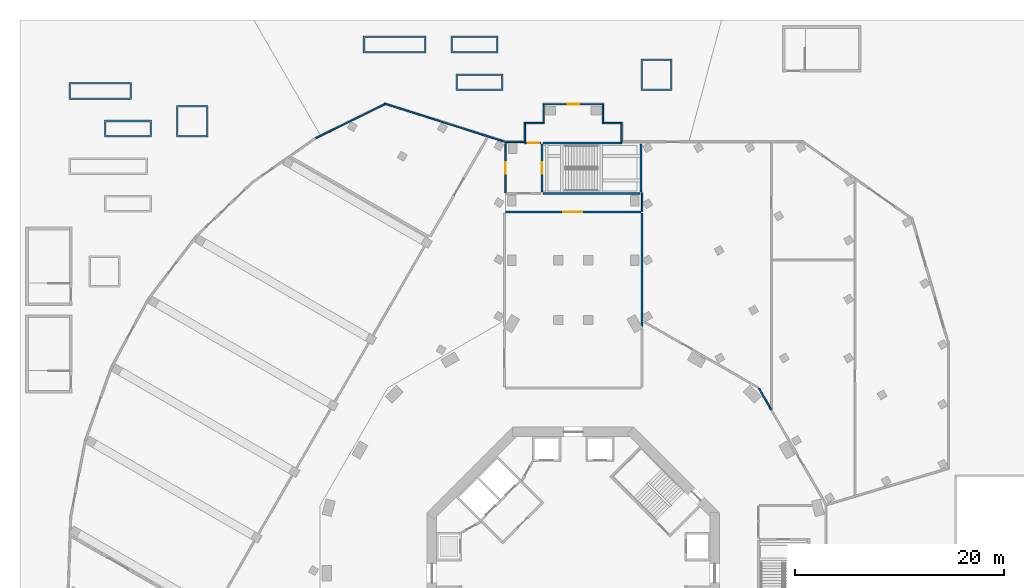
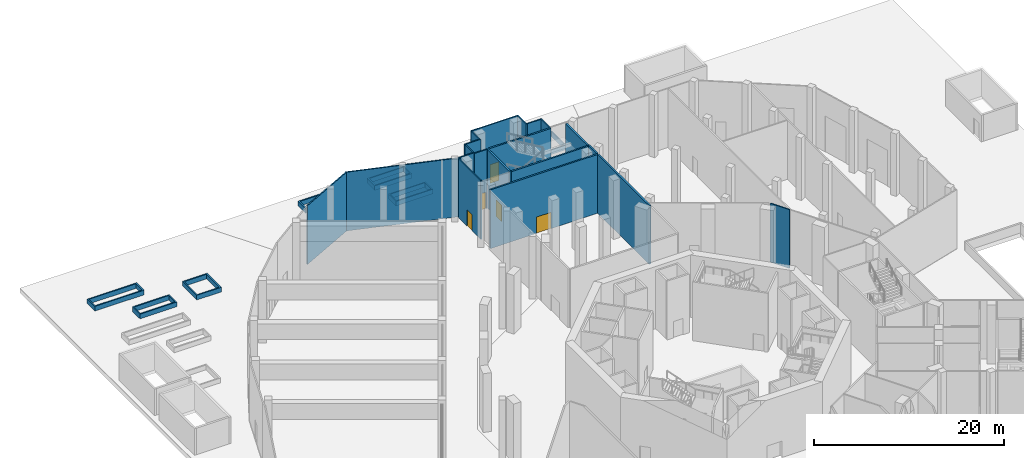
# One storey, part 11 of 30: 27 walls, 5 doors, 5 openings.
"""IFC4 building model written with IfcOpenShell, lengths in metres."""

from ifc_helpers import new_model, si_unit, direction, frame, frame_2d, origin, place, context, subcontext, project, spatial, polyline, rectangle, outline, extrude, material, layer, layer_set, type_object, element, fill, save


model = new_model("IFC4")

# Units and contexts
model_context = context("Model", 3, precision=1e-05, world=origin(), true_north=direction((0.0, 1.0)))
body_context = subcontext(model_context, "Body", "Model", "MODEL_VIEW")
ifc_project = project(units=[si_unit("LENGTHUNIT", "METRE"), si_unit("AREAUNIT", "SQUARE_METRE"), si_unit("VOLUMEUNIT", "CUBIC_METRE"), si_unit("PLANEANGLEUNIT", "RADIAN"), si_unit("MASSUNIT", "GRAM", prefix="KILO")], contexts=[model_context])

# Site, building, storey
site_placement = place(None, origin())
site = spatial("IfcSite", under=ifc_project, at=site_placement, CompositionType="ELEMENT")
building_placement = place(site_placement, origin())
building = spatial("IfcBuilding", under=site, at=building_placement, Name="Verdalira Terraces Hotel", CompositionType="ELEMENT")
storey_placement = place(building_placement, origin())
storey = spatial("IfcBuildingStorey", under=building, at=storey_placement, Name="L00", CompositionType="ELEMENT", Elevation=0.0)

# Wall, opening, door
ifc_material_1 = material(Name="Concrete block masonry", Category="masonry")
ifc_layer_1 = layer(ifc_material_1, 0.199951171875)
ifc_layer_set_1 = layer_set([ifc_layer_1], Name="Fire-rated masonry wall 200 mm")
wall_type_1 = type_object("IfcWallType", Name="Fire-rated masonry wall 200 mm", PredefinedType="SOLIDWALL", material=ifc_layer_set_1)
wall_1_placement = place(storey_placement, frame((-6.5, 34.600098, 0.0), z_axis=(0.0, 0.0, 1.0), x_axis=(1.0, 0.0, 0.0)))
wall_1 = element("IfcWall", 1, at=wall_1_placement, inside=storey, type_object=wall_type_1, Name="Plant and kitchen enclosure wall", PredefinedType="SOLIDWALL", context=body_context, shape_type="SweptSolid", body=[
    extrude(rectangle(XDim=13.0, YDim=0.199951, at=frame_2d((6.5, 0.0))), origin(), (0.0, 0.0, 1.0), 7.550049),
])
opening_1_placement = place(wall_1_placement, frame((5.550049, 0.0, 0.0)))
opening_1 = element("IfcOpeningElement", 2, at=opening_1_placement, cuts=wall_1, Name="Opening L00-D13", PredefinedType="OPENING", context=body_context, shape_type="SweptSolid", body=[
    extrude(rectangle(XDim=1.800049, YDim=2.100098, at=frame_2d((0.899902, 1.050049))), frame((0.0, 0.109863, 0.0), z_axis=(0.0, -1.0, 0.0), x_axis=(1.0, 0.0, 0.0)), (0.0, 0.0, 1.0), 0.219971),
])
ifc_material_2 = material(Name="Steel fire door", Category="steel")
door_type_1 = type_object("IfcDoorType", Name="Fire door pair 1800 x 2100", OperationType="DOUBLE_DOOR_SINGLE_SWING", PredefinedType="DOOR", material=ifc_material_2)
door_1_placement = place(opening_1_placement, origin())
door_1 = element("IfcDoor", 3, at=door_1_placement, inside=storey, type_object=door_type_1, Name="Stair approach corridor door", OperationType="DOUBLE_DOOR_SINGLE_SWING", OverallHeight=2.10009765625, OverallWidth=1.800048828125, PredefinedType="DOOR", context=body_context, shape_type="SweptSolid", body=[
    extrude(rectangle(XDim=1.800049, YDim=2.100098, at=frame_2d((0.899902, 1.050049))), frame((0.0, 0.024902, 0.0), z_axis=(0.0, -1.0, 0.0), x_axis=(1.0, 0.0, 0.0)), (0.0, 0.0, 1.0), 0.050049),
])
fill(opening_1, door_1)

# Wall
wall_2_placement = place(storey_placement, frame((6.600098, 23.659424, 0.0), z_axis=(0.0, 0.0, 1.0), x_axis=(0.0, 1.0, 0.0)))
element("IfcWall", 4, at=wall_2_placement, inside=storey, type_object=wall_type_1, Name="Plant and kitchen enclosure wall", PredefinedType="SOLIDWALL", context=body_context, shape_type="SweptSolid", body=[
    extrude(rectangle(XDim=10.84082, YDim=0.199951, at=frame_2d((5.42041, 0.0))), origin(), (0.0, 0.0, 1.0), 7.550049),
])

# Wall, opening, door
ifc_material_3 = material(Name="Gypsum board partition on steel stud", Category="steel")
ifc_layer_2 = layer(ifc_material_3, 0.14990234375)
ifc_layer_set_2 = layer_set([ifc_layer_2], Name="Fire-rated partition 150 mm")
wall_type_2 = type_object("IfcWallType", Name="Fire-rated partition 150 mm", PredefinedType="PARTITIONING", material=ifc_layer_set_2)
wall_3_placement = place(storey_placement, frame((-6.5, 36.475098, 0.0), z_axis=(0.0, 0.0, 1.0), x_axis=(0.0, 1.0, 0.0)))
wall_3 = element("IfcWall", 5, at=wall_3_placement, inside=storey, type_object=wall_type_2, Name="Partition", PredefinedType="PARTITIONING", context=body_context, shape_type="SweptSolid", body=[
    extrude(rectangle(XDim=4.650146, YDim=0.149902, at=frame_2d((2.325195, 0.0))), origin(), (0.0, 0.0, 1.0), 7.550049),
])
opening_2_placement = place(wall_3_placement, frame((1.800293, 0.0, 0.0)))
opening_2 = element("IfcOpeningElement", 6, at=opening_2_placement, cuts=wall_3, Name="Opening L00-D16", PredefinedType="OPENING", context=body_context, shape_type="SweptSolid", body=[
    extrude(rectangle(XDim=1.100098, YDim=2.100098, at=frame_2d((0.550049, 1.050049))), frame((0.0, 0.084961, 0.0), z_axis=(0.0, -1.0, 0.0), x_axis=(1.0, 0.0, 0.0)), (0.0, 0.0, 1.0), 0.169922),
])
ifc_material_4 = material(Name="Steel fire door", Category="steel")
door_type_2 = type_object("IfcDoorType", Name="Stair door 1100 x 2100", OperationType="SINGLE_SWING_LEFT", PredefinedType="DOOR", material=ifc_material_4)
door_2_placement = place(opening_2_placement, origin())
door_2 = element("IfcDoor", 7, at=door_2_placement, inside=storey, type_object=door_type_2, Name="Stair door Pre-function foyer", OperationType="SINGLE_SWING_RIGHT", OverallHeight=2.10009765625, OverallWidth=1.10009765625, PredefinedType="DOOR", context=body_context, shape_type="SweptSolid", body=[
    extrude(rectangle(XDim=1.100098, YDim=2.100098, at=frame_2d((0.550049, 1.050049))), frame((0.0, 0.024902, 0.0), z_axis=(0.0, -1.0, 0.0), x_axis=(1.0, 0.0, 0.0)), (0.0, 0.0, 1.0), 0.050049),
])
fill(opening_2, door_2)

wall_4_placement = place(storey_placement, frame((-4.64502, 41.199951, 0.0), z_axis=(0.0, 0.0, 1.0), x_axis=(1.0, 0.0, 0.0)))
wall_4 = element("IfcWall", 8, at=wall_4_placement, inside=storey, type_object=wall_type_2, Name="Partition", PredefinedType="PARTITIONING", context=body_context, shape_type="SweptSolid", body=[
    extrude(rectangle(XDim=1.545166, YDim=0.149902, at=frame_2d((0.772461, 0.0))), origin(), (0.0, 0.0, 1.0), 7.550049),
])
opening_3_placement = place(wall_4_placement, frame((0.29541, 0.0, 0.0)))
opening_3 = element("IfcOpeningElement", 9, at=opening_3_placement, cuts=wall_4, Name="Opening L00-D17", PredefinedType="OPENING", context=body_context, shape_type="SweptSolid", body=[
    extrude(rectangle(XDim=1.100098, YDim=2.100098, at=frame_2d((0.550049, 1.050049))), frame((0.0, 0.084961, 0.0), z_axis=(0.0, -1.0, 0.0), x_axis=(1.0, 0.0, 0.0)), (0.0, 0.0, 1.0), 0.169922),
])
door_3_placement = place(opening_3_placement, origin())
door_3 = element("IfcDoor", 10, at=door_3_placement, inside=storey, type_object=door_type_2, Name="Stair door Exit passage PS1", OperationType="SINGLE_SWING_LEFT", OverallHeight=2.10009765625, OverallWidth=1.10009765625, PredefinedType="DOOR", context=body_context, shape_type="SweptSolid", body=[
    extrude(rectangle(XDim=1.100098, YDim=2.100098, at=frame_2d((0.550049, 1.050049))), frame((0.0, 0.024902, 0.0), z_axis=(0.0, -1.0, 0.0), x_axis=(1.0, 0.0, 0.0)), (0.0, 0.0, 1.0), 0.050049),
])
fill(opening_3, door_3)

# Walls
wall_5_placement = place(storey_placement, frame((6.600098, 34.699707, 0.0), z_axis=(0.0, 0.0, 1.0), x_axis=(0.0, 1.0, 0.0)))
element("IfcWall", 11, at=wall_5_placement, inside=storey, type_object=wall_type_2, Name="Partition", PredefinedType="PARTITIONING", context=body_context, shape_type="SweptSolid", body=[
    extrude(rectangle(XDim=1.775391, YDim=0.149902, at=frame_2d((0.887695, 0.0))), origin(), (0.0, 0.0, 1.0), 7.550049),
])
wall_6_placement = place(storey_placement, frame((17.795898, 17.693359, 0.0), z_axis=(0.0, 0.0, 1.0), x_axis=(0.50002133, -0.866013088, 0.0)))
element("IfcWall", 12, at=wall_6_placement, inside=storey, type_object=wall_type_2, Name="Partition", PredefinedType="PARTITIONING", context=body_context, shape_type="SweptSolid", body=[
    extrude(rectangle(XDim=2.333496, YDim=0.149902, at=frame_2d((1.166748, 0.0))), origin(), (0.0, 0.0, 1.0), 7.550049),
])
ifc_material_5 = material(Name="Concrete C40", Category="concrete")
ifc_layer_3 = layer(ifc_material_5, 0.14990234375)
ifc_layer_set_3 = layer_set([ifc_layer_3], Name="Garden planter trough 600")
wall_type_3 = type_object("IfcWallType", Name="Garden planter trough 600", PredefinedType="SOLIDWALL", material=ifc_layer_set_3)
wall_7_placement = place(storey_placement, origin())
element("IfcWall", 13, at=wall_7_placement, inside=storey, type_object=wall_type_3, Name="Garden planter", PredefinedType="SOLIDWALL", context=body_context, shape_type="SweptSolid", body=[
    extrude(outline(polyline([(-44.899902, 41.800049), (-40.399902, 41.800049), (-40.399902, 43.399902), (-44.899902, 43.399902), (-44.899902, 41.800049)]), holes=[polyline([(-44.75, 41.949951), (-44.75, 43.25), (-40.550049, 43.25), (-40.550049, 41.949951), (-44.75, 41.949951)])]), origin(), (0.0, 0.0, 1.0), 0.600098),
])
wall_8_placement = place(storey_placement, origin())
element("IfcWall", 14, at=wall_8_placement, inside=storey, type_object=wall_type_3, Name="Garden planter", PredefinedType="SOLIDWALL", context=body_context, shape_type="SweptSolid", body=[
    extrude(outline(polyline([(-38.0, 41.800049), (-35.0, 41.800049), (-35.0, 44.800049), (-38.0, 44.800049), (-38.0, 41.800049)]), holes=[polyline([(-37.850098, 41.949951), (-37.850098, 44.649902), (-35.149902, 44.649902), (-35.149902, 41.949951), (-37.850098, 41.949951)])]), origin(), (0.0, 0.0, 1.0), 0.600098),
])
wall_9_placement = place(storey_placement, origin())
element("IfcWall", 15, at=wall_9_placement, inside=storey, type_object=wall_type_3, Name="Garden planter", PredefinedType="SOLIDWALL", context=body_context, shape_type="SweptSolid", body=[
    extrude(outline(polyline([(-48.300049, 45.399902), (-42.300049, 45.399902), (-42.300049, 47.0), (-48.300049, 47.0), (-48.300049, 45.399902)]), holes=[polyline([(-48.149902, 45.550049), (-48.149902, 46.850098), (-42.449951, 46.850098), (-42.449951, 45.550049), (-48.149902, 45.550049)])]), origin(), (0.0, 0.0, 1.0), 0.600098),
])
wall_10_placement = place(storey_placement, origin())
element("IfcWall", 16, at=wall_10_placement, inside=storey, type_object=wall_type_3, Name="Garden planter", PredefinedType="SOLIDWALL", context=body_context, shape_type="SweptSolid", body=[
    extrude(outline(polyline([(-11.221191, 46.25), (-6.721191, 46.25), (-6.721191, 47.850098), (-11.221191, 47.850098), (-11.221191, 46.25)]), holes=[polyline([(-11.071045, 46.399902), (-11.071045, 47.699951), (-6.871094, 47.699951), (-6.871094, 46.399902), (-11.071045, 46.399902)])]), origin(), (0.0, 0.0, 1.0), 0.600098),
])
wall_11_placement = place(storey_placement, origin())
element("IfcWall", 17, at=wall_11_placement, inside=storey, type_object=wall_type_3, Name="Garden planter", PredefinedType="SOLIDWALL", context=body_context, shape_type="SweptSolid", body=[
    extrude(outline(polyline([(6.479004, 46.25), (9.479004, 46.25), (9.479004, 49.25), (6.479004, 49.25), (6.479004, 46.25)]), holes=[polyline([(6.628906, 46.399902), (6.628906, 49.100098), (9.328857, 49.100098), (9.328857, 46.399902), (6.628906, 46.399902)])]), origin(), (0.0, 0.0, 1.0), 0.600098),
])
wall_12_placement = place(storey_placement, origin())
element("IfcWall", 18, at=wall_12_placement, inside=storey, type_object=wall_type_3, Name="Garden planter", PredefinedType="SOLIDWALL", context=body_context, shape_type="SweptSolid", body=[
    extrude(outline(polyline([(-20.121094, 49.850098), (-14.121094, 49.850098), (-14.121094, 51.449951), (-20.121094, 51.449951), (-20.121094, 49.850098)]), holes=[polyline([(-19.971191, 50.0), (-19.971191, 51.300049), (-14.270996, 51.300049), (-14.270996, 50.0), (-19.971191, 50.0)])]), origin(), (0.0, 0.0, 1.0), 0.600098),
])
wall_13_placement = place(storey_placement, origin())
element("IfcWall", 19, at=wall_13_placement, inside=storey, type_object=wall_type_3, Name="Garden planter", PredefinedType="SOLIDWALL", context=body_context, shape_type="SweptSolid", body=[
    extrude(outline(polyline([(-11.721191, 49.850098), (-7.221191, 49.850098), (-7.221191, 51.449951), (-11.721191, 51.449951), (-11.721191, 49.850098)]), holes=[polyline([(-11.571045, 50.0), (-11.571045, 51.300049), (-7.371094, 51.300049), (-7.371094, 50.0), (-11.571045, 50.0)])]), origin(), (0.0, 0.0, 1.0), 0.600098),
])
ifc_material_6 = material(Name="Concrete C50", Category="concrete")
ifc_layer_4 = layer(ifc_material_6, 0.199951171875)
ifc_layer_set_4 = layer_set([ifc_layer_4], Name="Stair enclosure wall 200 mm")
wall_type_4 = type_object("IfcWallType", Name="Stair enclosure wall 200 mm", PredefinedType="SOLIDWALL", material=ifc_layer_set_4)
wall_14_placement = place(storey_placement, frame((-2.900146, 36.399902, 0.0), z_axis=(0.0, 0.0, 1.0), x_axis=(1.0, 0.0, 0.0)))
element("IfcWall", 20, at=wall_14_placement, inside=storey, type_object=wall_type_4, Name="Stair enclosure wall", PredefinedType="SOLIDWALL", context=body_context, shape_type="SweptSolid", body=[
    extrude(rectangle(XDim=9.300293, YDim=0.199951, at=frame_2d((4.650146, 0.0))), origin(), (0.0, 0.0, 1.0), 7.550049),
])

# Wall, opening, door
wall_15_placement = place(storey_placement, frame((-3.0, 36.5, 0.0), z_axis=(0.0, 0.0, 1.0), x_axis=(0.0, 1.0, 0.0)))
wall_15 = element("IfcWall", 21, at=wall_15_placement, inside=storey, type_object=wall_type_4, Name="Stair enclosure wall", PredefinedType="SOLIDWALL", context=body_context, shape_type="SweptSolid", body=[
    extrude(rectangle(XDim=4.600098, YDim=0.199951, at=frame_2d((2.300049, 0.0))), origin(), (0.0, 0.0, 1.0), 7.550049),
])
opening_4_placement = place(wall_15_placement, frame((1.75, 0.0, 0.0)))
opening_4 = element("IfcOpeningElement", 22, at=opening_4_placement, cuts=wall_15, Name="Opening L00-D18", PredefinedType="OPENING", context=body_context, shape_type="SweptSolid", body=[
    extrude(rectangle(XDim=1.100098, YDim=2.100098, at=frame_2d((0.550049, 1.050049))), frame((0.0, 0.109863, 0.0), z_axis=(0.0, -1.0, 0.0), x_axis=(1.0, 0.0, 0.0)), (0.0, 0.0, 1.0), 0.219971),
])
door_4_placement = place(opening_4_placement, origin())
door_4 = element("IfcDoor", 23, at=door_4_placement, inside=storey, type_object=door_type_2, Name="Stair door Stair lobby PS1", OperationType="SINGLE_SWING_RIGHT", OverallHeight=2.10009765625, OverallWidth=1.10009765625, PredefinedType="DOOR", context=body_context, shape_type="SweptSolid", body=[
    extrude(rectangle(XDim=1.100098, YDim=2.100098, at=frame_2d((0.550049, 1.050049))), frame((0.0, 0.024902, 0.0), z_axis=(0.0, -1.0, 0.0), x_axis=(1.0, 0.0, 0.0)), (0.0, 0.0, 1.0), 0.050049),
])
fill(opening_4, door_4)

# Walls
wall_16_placement = place(storey_placement, frame((6.5, 36.5, 0.0), z_axis=(0.0, 0.0, 1.0), x_axis=(0.0, 1.0, 0.0)))
element("IfcWall", 24, at=wall_16_placement, inside=storey, type_object=wall_type_4, Name="Stair enclosure wall", PredefinedType="SOLIDWALL", context=body_context, shape_type="SweptSolid", body=[
    extrude(rectangle(XDim=4.600098, YDim=0.199951, at=frame_2d((2.300049, 0.0))), origin(), (0.0, 0.0, 1.0), 7.550049),
])
wall_17_placement = place(storey_placement, frame((4.64502, 41.199951, 0.0), z_axis=(0.0, 0.0, 1.0), x_axis=(-1.0, 0.0, 0.0)))
element("IfcWall", 25, at=wall_17_placement, inside=storey, type_object=wall_type_4, Name="Stair enclosure wall", PredefinedType="SOLIDWALL", context=body_context, shape_type="SweptSolid", body=[
    extrude(rectangle(XDim=7.545166, YDim=0.199951, at=frame_2d((3.772461, 0.0))), origin(), (0.0, 0.0, 1.0), 7.550049),
])
ifc_material_7 = material(Name="Concrete C40", Category="concrete")
ifc_layer_5 = layer(ifc_material_7, 0.139892578125)
ifc_layer_set_5 = layer_set([ifc_layer_5], Name="Terracotta clad concrete wall C40 140 mm")
wall_type_5 = type_object("IfcWallType", Name="Terracotta clad concrete wall C40 140 mm", PredefinedType="SOLIDWALL", material=ifc_layer_set_5)
wall_18_placement = place(storey_placement, frame((4.629883, 41.26001, 0.0), z_axis=(0.0, 0.0, 1.0), x_axis=(0.0, 1.0, 0.0)))
element("IfcWall", 26, at=wall_18_placement, inside=storey, type_object=wall_type_5, Name="Podium facade wall", PredefinedType="SOLIDWALL", context=body_context, shape_type="SweptSolid", body=[
    extrude(rectangle(XDim=1.939941, YDim=0.139893, at=frame_2d((0.969971, 0.0))), origin(), (0.0, 0.0, 1.0), 7.550049),
])
ifc_material_8 = material(Name="Terracotta cladding on steel stud backup", Category="masonry")
ifc_layer_6 = layer(ifc_material_8, 0.139892578125)
ifc_layer_set_6 = layer_set([ifc_layer_6], Name="Terracotta clad wall 140 mm")
wall_type_6 = type_object("IfcWallType", Name="Terracotta clad wall 140 mm", PredefinedType="SOLIDWALL", material=ifc_layer_set_6)
wall_19_placement = place(storey_placement, frame((4.560059, 43.129883, 0.0), z_axis=(0.0, 0.0, 1.0), x_axis=(-1.0, 0.0, 0.0)))
element("IfcWall", 27, at=wall_19_placement, inside=storey, type_object=wall_type_6, Name="Podium facade wall", PredefinedType="SOLIDWALL", context=body_context, shape_type="SweptSolid", body=[
    extrude(rectangle(XDim=1.660156, YDim=0.139893, at=frame_2d((0.830078, 0.0))), origin(), (0.0, 0.0, 1.0), 7.550049),
])
wall_20_placement = place(storey_placement, frame((2.830078, 43.060059, 0.0), z_axis=(0.0, 0.0, 1.0), x_axis=(0.0, 1.0, 0.0)))
element("IfcWall", 28, at=wall_20_placement, inside=storey, type_object=wall_type_6, Name="Podium facade wall", PredefinedType="SOLIDWALL", context=body_context, shape_type="SweptSolid", body=[
    extrude(rectangle(XDim=1.939941, YDim=0.139893, at=frame_2d((0.969971, 0.0))), origin(), (0.0, 0.0, 1.0), 7.550049),
])

# Wall, opening, door
wall_21_placement = place(storey_placement, frame((-2.899902, 44.929932, 0.0), z_axis=(0.0, 0.0, 1.0), x_axis=(1.0, 0.0, 0.0)))
wall_21 = element("IfcWall", 29, at=wall_21_placement, inside=storey, type_object=wall_type_6, Name="Podium facade wall", PredefinedType="SOLIDWALL", context=body_context, shape_type="SweptSolid", body=[
    extrude(rectangle(XDim=5.659912, YDim=0.139893, at=frame_2d((2.830078, 0.0))), origin(), (0.0, 0.0, 1.0), 7.550049),
])
opening_5_placement = place(wall_21_placement, frame((2.350098, 0.0, 0.0)))
opening_5 = element("IfcOpeningElement", 30, at=opening_5_placement, cuts=wall_21, Name="Opening L00-E14", PredefinedType="OPENING", context=body_context, shape_type="SweptSolid", body=[
    extrude(rectangle(XDim=1.100098, YDim=2.399902, at=frame_2d((0.550049, 1.199951))), frame((0.0, 0.079834, 0.0), z_axis=(0.0, -1.0, 0.0), x_axis=(1.0, 0.0, 0.0)), (0.0, 0.0, 1.0), 0.159912),
])
ifc_material_9 = material(Name="Glazed steel door", Category="steel")
door_type_3 = type_object("IfcDoorType", Name="Exit door 1100 x 2400", OperationType="SINGLE_SWING_RIGHT", PredefinedType="DOOR", material=ifc_material_9)
door_5_placement = place(opening_5_placement, origin())
door_5 = element("IfcDoor", 31, at=door_5_placement, inside=storey, type_object=door_type_3, Name="Exit door", OperationType="SINGLE_SWING_RIGHT", OverallHeight=2.39990234375, OverallWidth=1.10009765625, PredefinedType="DOOR", context=body_context, shape_type="SweptSolid", body=[
    extrude(rectangle(XDim=1.100098, YDim=2.399902, at=frame_2d((0.550049, 1.199951))), frame((0.0, 0.024902, 0.0), z_axis=(0.0, -1.0, 0.0), x_axis=(1.0, 0.0, 0.0)), (0.0, 0.0, 1.0), 0.050049),
])
fill(opening_5, door_5)

# Walls
wall_22_placement = place(storey_placement, frame((-2.830078, 44.860107, 0.0), z_axis=(0.0, 0.0, 1.0), x_axis=(0.0, -1.0, 0.0)))
element("IfcWall", 32, at=wall_22_placement, inside=storey, type_object=wall_type_6, Name="Podium facade wall", PredefinedType="SOLIDWALL", context=body_context, shape_type="SweptSolid", body=[
    extrude(rectangle(XDim=1.660156, YDim=0.139893, at=frame_2d((0.830078, 0.0))), origin(), (0.0, 0.0, 1.0), 7.550049),
])
wall_23_placement = place(storey_placement, frame((-2.76001, 43.129883, 0.0), z_axis=(0.0, 0.0, 1.0), x_axis=(-1.0, 0.0, 0.0)))
element("IfcWall", 33, at=wall_23_placement, inside=storey, type_object=wall_type_6, Name="Podium facade wall", PredefinedType="SOLIDWALL", context=body_context, shape_type="SweptSolid", body=[
    extrude(rectangle(XDim=1.939941, YDim=0.139893, at=frame_2d((0.969971, 0.0))), origin(), (0.0, 0.0, 1.0), 7.550049),
])
wall_24_placement = place(storey_placement, frame((-4.629883, 43.060059, 0.0), z_axis=(0.0, 0.0, 1.0), x_axis=(0.0, -1.0, 0.0)))
element("IfcWall", 34, at=wall_24_placement, inside=storey, type_object=wall_type_6, Name="Podium facade wall", PredefinedType="SOLIDWALL", context=body_context, shape_type="SweptSolid", body=[
    extrude(rectangle(XDim=1.660156, YDim=0.139893, at=frame_2d((0.830078, 0.0))), origin(), (0.0, 0.0, 1.0), 7.550049),
])
wall_25_placement = place(storey_placement, frame((-4.560059, 41.330078, 0.0), z_axis=(0.0, 0.0, 1.0), x_axis=(-1.0, 0.0, 0.0)))
element("IfcWall", 35, at=wall_25_placement, inside=storey, type_object=wall_type_6, Name="Podium facade wall", PredefinedType="SOLIDWALL", context=body_context, shape_type="SweptSolid", body=[
    extrude(rectangle(XDim=1.718506, YDim=0.139893, at=frame_2d((0.859375, 0.0))), origin(), (0.0, 0.0, 1.0), 7.550049),
])
wall_26_placement = place(storey_placement, frame((-6.289307, 41.26001, 0.0), z_axis=(0.0, 0.0, 1.0), x_axis=(-0.953524528, 0.301315407, 0.0)))
element("IfcWall", 36, at=wall_26_placement, inside=storey, type_object=wall_type_6, Name="Podium facade wall", PredefinedType="SOLIDWALL", context=body_context, shape_type="SweptSolid", body=[
    extrude(rectangle(XDim=12.379883, YDim=0.139893, at=frame_2d((6.189941, 0.0))), origin(), (0.0, 0.0, 1.0), 7.550049),
])
wall_27_placement = place(storey_placement, frame((-18.087891, 44.915039, 0.0), z_axis=(0.0, 0.0, 1.0), x_axis=(-0.897231327, -0.441560807, 0.0)))
element("IfcWall", 37, at=wall_27_placement, inside=storey, type_object=wall_type_6, Name="Podium facade wall", PredefinedType="SOLIDWALL", context=body_context, shape_type="SweptSolid", body=[
    extrude(rectangle(XDim=7.336426, YDim=0.139893, at=frame_2d((3.668213, 0.0))), origin(), (0.0, 0.0, 1.0), 7.550049),
])

save(model, "model.ifc")
